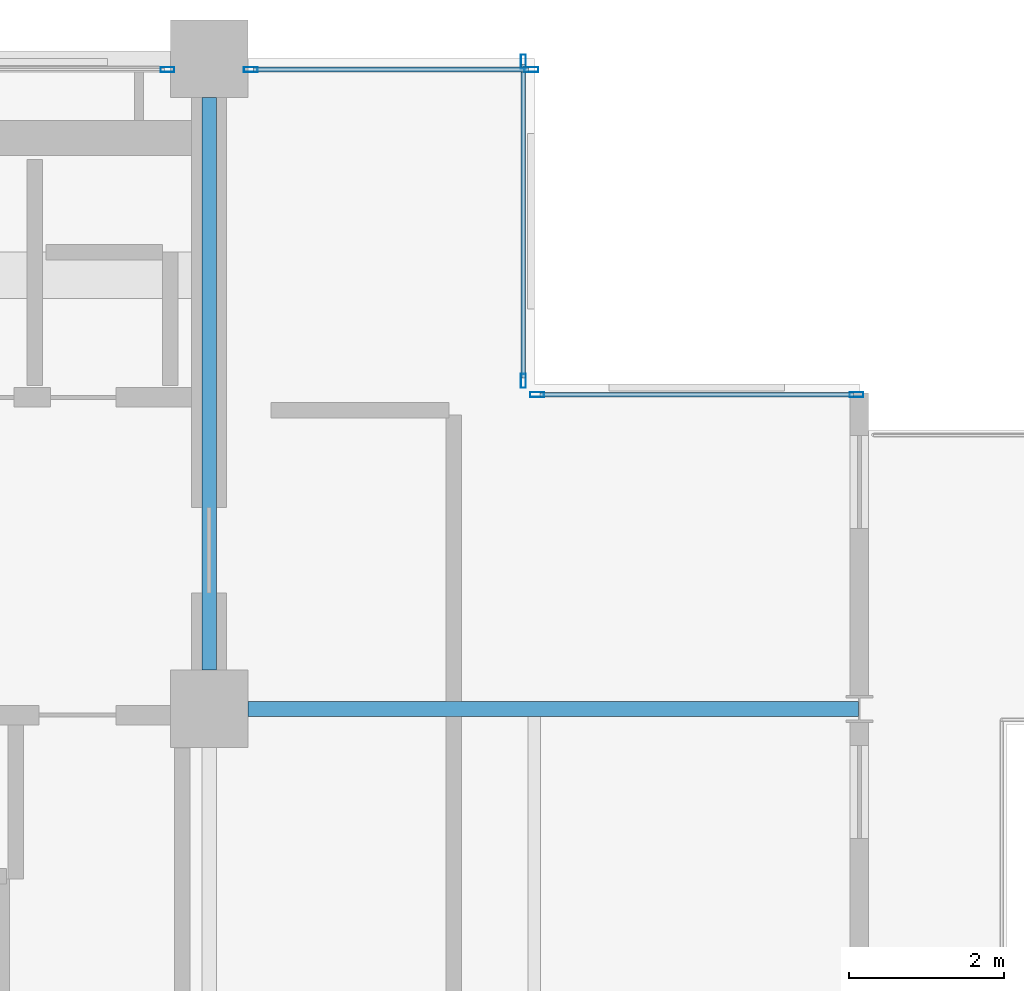
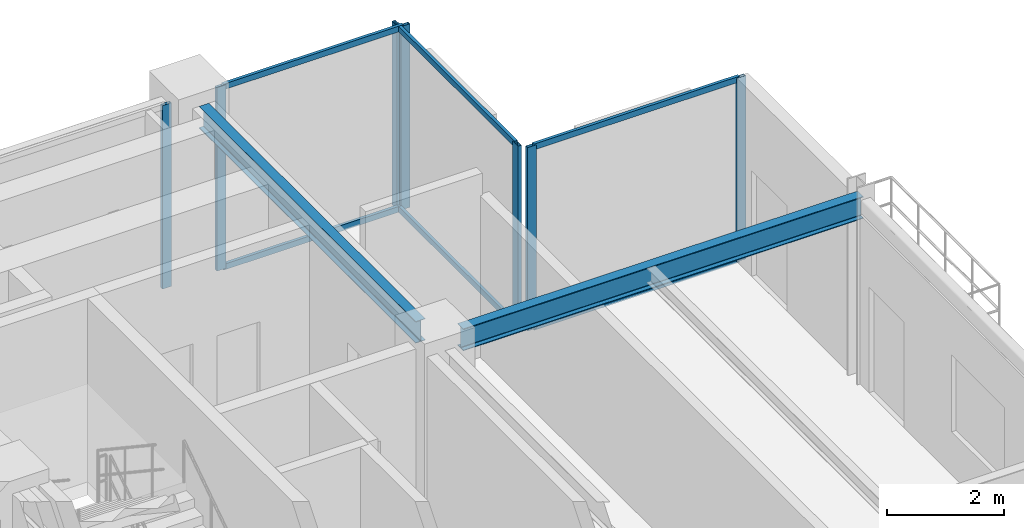
# One storey, part 18 of 25: 13 members, 2 beams, 4 elements without a shape of their own.
"""IFC4 building model written with IfcOpenShell, lengths in metres."""

from ifc_helpers import new_model, si_unit, direction, frame, origin, origin_2d, place, context, subcontext, project, spatial, hollow_rectangle, i_section, extrude, material, layer, layer_set, material_profile, profile_set, type_object, element, aggregate, save


model = new_model("IFC4")

# Units and contexts
model_context = context("Model", 3, precision=1e-05, world=origin(), true_north=direction((0.0, 1.0)))
body_context = subcontext(model_context, "Body", "Model", "MODEL_VIEW")
ifc_project = project(units=[si_unit("LENGTHUNIT", "METRE"), si_unit("AREAUNIT", "SQUARE_METRE"), si_unit("VOLUMEUNIT", "CUBIC_METRE"), si_unit("PLANEANGLEUNIT", "RADIAN"), si_unit("MASSUNIT", "GRAM", prefix="KILO")], contexts=[model_context])

# Site, building, storey
site_placement = place(None, origin())
site = spatial("IfcSite", under=ifc_project, at=site_placement, CompositionType="ELEMENT")
building_placement = place(site_placement, origin())
building = spatial("IfcBuilding", under=site, at=building_placement, Name="Nerrivon Quay Data Exchange", CompositionType="ELEMENT")
storey_placement = place(building_placement, frame((0.0, 0.0, 224.699951171875)))
storey = spatial("IfcBuildingStorey", under=building, at=storey_placement, Name="L53", CompositionType="ELEMENT", Elevation=224.699951171875)

# Beams
ifc_material_1 = material(Name="Steel Grade 350", Category="steel")
ifc_material_profile_1 = material_profile(ifc_material_1, i_section(OverallWidth=0.19091796875, OverallDepth=0.4599609375, WebThickness=0.010009765625, FlangeThickness=0.01611328125, FilletRadius=0.011474609375, at=origin_2d()), Name="460UB82.1")
ifc_profile_set_1 = profile_set([ifc_material_profile_1], Name="Steel Grade 350")
beam_type_1 = type_object("IfcBeamType", Name="BM-G5-460UB82", PredefinedType="BEAM", material=ifc_profile_set_1)
beam_1_placement = place(storey_placement, frame((17.300048828125, 33.60009765625, 3.594970703125), z_axis=(1.0, 0.0, 0.0), x_axis=(0.0, 1.0, 0.0)))
element("IfcBeam", 1, at=beam_1_placement, inside=storey, type_object=beam_type_1, Name="L53 EW Girder Y=33.6 (16.8..25.2)", PredefinedType="BEAM", context=body_context, shape_type="SweptSolid", body=[
    extrude(i_section(OverallWidth=0.19091796875, OverallDepth=0.4599609375, WebThickness=0.010009765625, FlangeThickness=0.01611328125, FilletRadius=0.011474609375, at=origin_2d()), origin(), (0.0, 0.0, 1.0), 7.889892578125),
])
ifc_material_profile_2 = material_profile(ifc_material_1, i_section(OverallWidth=0.18994140625, OverallDepth=0.4541015625, WebThickness=0.008544921875, FlangeThickness=0.0126953125, FilletRadius=0.011474609375, at=origin_2d()), Name="460UB67.1")
ifc_profile_set_2 = profile_set([ifc_material_profile_2], Name="Steel Grade 350")
beam_type_2 = type_object("IfcBeamType", Name="BM-G6-460UB67", PredefinedType="BEAM", material=ifc_profile_set_2)
beam_2_placement = place(storey_placement, frame((16.800048828125, 34.10009765625, 3.59814453125), z_axis=(0.0, 1.0, 0.0), x_axis=(-1.0, 0.0, 0.0)))
element("IfcBeam", 2, at=beam_2_placement, inside=storey, type_object=beam_type_2, Name="L53 NS Girder X=16.8 (33.6..42.0)", PredefinedType="BEAM", context=body_context, shape_type="SweptSolid", body=[
    extrude(i_section(OverallWidth=0.18994140625, OverallDepth=0.4541015625, WebThickness=0.008544921875, FlangeThickness=0.0126953125, FilletRadius=0.011474609375, at=origin_2d()), origin(), (0.0, 0.0, 1.0), 7.39990234375),
])

# Curtain wall, member
ifc_material_2 = material(Name="Anodised aluminium 6063-T6", Category="aluminium")
ifc_layer = layer(ifc_material_2, 0.195068359375)
ifc_layer_set = layer_set([ifc_layer], Name="Anodised aluminium 6063-T6")
curtain_wall_type = type_object("IfcCurtainWallType", Name="CW-SYS-06", PredefinedType="NOTDEFINED", material=ifc_layer_set)
curtain_wall_1_placement = place(storey_placement, origin())
curtain_wall_1 = element("IfcCurtainWall", 3, at=curtain_wall_1_placement, inside=storey, type_object=curtain_wall_type, Name="L53 Unitised Curtain Wall 18", PredefinedType="NOTDEFINED")
ifc_material_profile_3 = material_profile(ifc_material_2, hollow_rectangle(XDim=0.06494140625, YDim=0.179931640625, WallThickness=0.00341796875, at=origin_2d()), Name="ALU-MULL-180x65")
ifc_profile_set_3 = profile_set([ifc_material_profile_3], Name="Anodised aluminium 6063-T6")
member_type_1 = type_object("IfcMemberType", Name="CWM-180x65", PredefinedType="MULLION", material=ifc_profile_set_3)
member_1_placement = place(storey_placement, frame((16.262451171875, 41.860107421875, 0.0), z_axis=(0.0, 0.0, 1.0), x_axis=(0.0, 1.0, 0.0)))
member_1 = element("IfcMember", 4, at=member_1_placement, type_object=member_type_1, Name="CW06 mullion 2", PredefinedType="MULLION", context=body_context, shape_type="SweptSolid", body=[
    extrude(hollow_rectangle(XDim=0.06494140625, YDim=0.179931640625, WallThickness=0.00341796875, at=origin_2d()), origin(), (0.0, 0.0, 1.0), 3.824951171875),
])
aggregate(curtain_wall_1, [member_1])

# Curtain wall, members
curtain_wall_2_placement = place(storey_placement, origin())
curtain_wall_2 = element("IfcCurtainWall", 5, at=curtain_wall_2_placement, inside=storey, type_object=curtain_wall_type, Name="L53 Unitised Curtain Wall 19", PredefinedType="NOTDEFINED")
member_2_placement = place(storey_placement, frame((17.33740234375, 41.860107421875, 0.0), z_axis=(0.0, 0.0, 1.0), x_axis=(0.0, 1.0, 0.0)))
member_2 = element("IfcMember", 6, at=member_2_placement, type_object=member_type_1, Name="CW06 mullion 1", PredefinedType="MULLION", context=body_context, shape_type="SweptSolid", body=[
    extrude(hollow_rectangle(XDim=0.06494140625, YDim=0.179931640625, WallThickness=0.00341796875, at=origin_2d()), origin(), (0.0, 0.0, 1.0), 3.824951171875),
])
member_3_placement = place(storey_placement, frame((20.96240234375, 41.860107421875, 0.0), z_axis=(0.0, 0.0, 1.0), x_axis=(0.0, 1.0, 0.0)))
member_3 = element("IfcMember", 7, at=member_3_placement, type_object=member_type_1, Name="CW06 mullion 2", PredefinedType="MULLION", context=body_context, shape_type="SweptSolid", body=[
    extrude(hollow_rectangle(XDim=0.06494140625, YDim=0.179931640625, WallThickness=0.00341796875, at=origin_2d()), origin(), (0.0, 0.0, 1.0), 3.824951171875),
])

curtain_wall_3_placement = place(storey_placement, origin())
curtain_wall_3 = element("IfcCurtainWall", 8, at=curtain_wall_3_placement, inside=storey, type_object=curtain_wall_type, Name="L53 Unitised Curtain Wall 20", PredefinedType="NOTDEFINED")
member_4_placement = place(storey_placement, frame((20.860107421875, 41.96240234375, 0.0), z_axis=(0.0, 0.0, 1.0), x_axis=(1.0, 0.0, 0.0)))
member_4 = element("IfcMember", 9, at=member_4_placement, type_object=member_type_1, Name="CW06 mullion 1", PredefinedType="MULLION", context=body_context, shape_type="SweptSolid", body=[
    extrude(hollow_rectangle(XDim=0.06494140625, YDim=0.179931640625, WallThickness=0.00341796875, at=origin_2d()), origin(), (0.0, 0.0, 1.0), 3.824951171875),
])
member_5_placement = place(storey_placement, frame((20.860107421875, 37.83740234375, 0.0), z_axis=(0.0, 0.0, 1.0), x_axis=(1.0, 0.0, 0.0)))
member_5 = element("IfcMember", 10, at=member_5_placement, type_object=member_type_1, Name="CW06 mullion 2", PredefinedType="MULLION", context=body_context, shape_type="SweptSolid", body=[
    extrude(hollow_rectangle(XDim=0.06494140625, YDim=0.179931640625, WallThickness=0.00341796875, at=origin_2d()), origin(), (0.0, 0.0, 1.0), 3.824951171875),
])

curtain_wall_4_placement = place(storey_placement, origin())
curtain_wall_4 = element("IfcCurtainWall", 11, at=curtain_wall_4_placement, inside=storey, type_object=curtain_wall_type, Name="L53 Unitised Curtain Wall 21", PredefinedType="NOTDEFINED")
member_6_placement = place(storey_placement, frame((21.03759765625, 37.659912109375, 0.0), z_axis=(0.0, 0.0, 1.0), x_axis=(0.0, 1.0, 0.0)))
member_6 = element("IfcMember", 12, at=member_6_placement, type_object=member_type_1, Name="CW06 mullion 1", PredefinedType="MULLION", context=body_context, shape_type="SweptSolid", body=[
    extrude(hollow_rectangle(XDim=0.06494140625, YDim=0.179931640625, WallThickness=0.00341796875, at=origin_2d()), origin(), (0.0, 0.0, 1.0), 3.824951171875),
])
member_7_placement = place(storey_placement, frame((25.16259765625, 37.659912109375, 0.0), z_axis=(0.0, 0.0, 1.0), x_axis=(0.0, 1.0, 0.0)))
member_7 = element("IfcMember", 13, at=member_7_placement, type_object=member_type_1, Name="CW06 mullion 2", PredefinedType="MULLION", context=body_context, shape_type="SweptSolid", body=[
    extrude(hollow_rectangle(XDim=0.06494140625, YDim=0.179931640625, WallThickness=0.00341796875, at=origin_2d()), origin(), (0.0, 0.0, 1.0), 3.824951171875),
])

# Member
ifc_material_profile_4 = material_profile(ifc_material_2, hollow_rectangle(XDim=0.06005859375, YDim=0.1201171875, WallThickness=0.003173828125, at=origin_2d()), Name="ALU-TRAN-120x60")
ifc_profile_set_4 = profile_set([ifc_material_profile_4], Name="Anodised aluminium 6063-T6")
member_type_2 = type_object("IfcMemberType", Name="CWT-120x60", PredefinedType="USERDEFINED", material=ifc_profile_set_4)
member_8_placement = place(storey_placement, frame((17.375, 41.860107421875, 0.032470703125), z_axis=(1.0, 0.0, 0.0), x_axis=(0.0, 1.0, 0.0)))
member_8 = element("IfcMember", 14, at=member_8_placement, type_object=member_type_2, Name="CW06 transom 1.1", ObjectType="TRANSOM", PredefinedType="USERDEFINED", context=body_context, shape_type="SweptSolid", body=[
    extrude(hollow_rectangle(XDim=0.06005859375, YDim=0.1201171875, WallThickness=0.003173828125, at=origin_2d()), origin(), (0.0, 0.0, 1.0), 3.550048828125),
])

member_9_placement = place(storey_placement, frame((17.375, 41.860107421875, 3.79248046875), z_axis=(1.0, 0.0, 0.0), x_axis=(0.0, 1.0, 0.0)))
member_9 = element("IfcMember", 15, at=member_9_placement, type_object=member_type_2, Name="CW06 transom 1.2", ObjectType="TRANSOM", PredefinedType="USERDEFINED", context=body_context, shape_type="SweptSolid", body=[
    extrude(hollow_rectangle(XDim=0.06005859375, YDim=0.1201171875, WallThickness=0.003173828125, at=origin_2d()), origin(), (0.0, 0.0, 1.0), 3.550048828125),
])

aggregate(curtain_wall_2, [member_2, member_3, member_8, member_9])

member_10_placement = place(storey_placement, frame((20.860107421875, 41.925048828125, 0.032470703125), z_axis=(0.0, -1.0, 0.0), x_axis=(1.0, 0.0, 0.0)))
member_10 = element("IfcMember", 16, at=member_10_placement, type_object=member_type_2, Name="CW06 transom 1.1", ObjectType="TRANSOM", PredefinedType="USERDEFINED", context=body_context, shape_type="SweptSolid", body=[
    extrude(hollow_rectangle(XDim=0.06005859375, YDim=0.1201171875, WallThickness=0.003173828125, at=origin_2d()), origin(), (0.0, 0.0, 1.0), 4.050048828125),
])

member_11_placement = place(storey_placement, frame((20.860107421875, 41.925048828125, 3.79248046875), z_axis=(0.0, -1.0, 0.0), x_axis=(1.0, 0.0, 0.0)))
member_11 = element("IfcMember", 17, at=member_11_placement, type_object=member_type_2, Name="CW06 transom 1.2", ObjectType="TRANSOM", PredefinedType="USERDEFINED", context=body_context, shape_type="SweptSolid", body=[
    extrude(hollow_rectangle(XDim=0.06005859375, YDim=0.1201171875, WallThickness=0.003173828125, at=origin_2d()), origin(), (0.0, 0.0, 1.0), 4.050048828125),
])

aggregate(curtain_wall_3, [member_4, member_5, member_10, member_11])

member_12_placement = place(storey_placement, frame((21.074951171875, 37.659912109375, 0.032470703125), z_axis=(1.0, 0.0, 0.0), x_axis=(0.0, 1.0, 0.0)))
member_12 = element("IfcMember", 18, at=member_12_placement, type_object=member_type_2, Name="CW06 transom 1.1", ObjectType="TRANSOM", PredefinedType="USERDEFINED", context=body_context, shape_type="SweptSolid", body=[
    extrude(hollow_rectangle(XDim=0.06005859375, YDim=0.1201171875, WallThickness=0.003173828125, at=origin_2d()), origin(), (0.0, 0.0, 1.0), 4.050048828125),
])

member_13_placement = place(storey_placement, frame((21.074951171875, 37.659912109375, 3.79248046875), z_axis=(1.0, 0.0, 0.0), x_axis=(0.0, 1.0, 0.0)))
member_13 = element("IfcMember", 19, at=member_13_placement, type_object=member_type_2, Name="CW06 transom 1.2", ObjectType="TRANSOM", PredefinedType="USERDEFINED", context=body_context, shape_type="SweptSolid", body=[
    extrude(hollow_rectangle(XDim=0.06005859375, YDim=0.1201171875, WallThickness=0.003173828125, at=origin_2d()), origin(), (0.0, 0.0, 1.0), 4.050048828125),
])

aggregate(curtain_wall_4, [member_6, member_7, member_12, member_13])

save(model, "model.ifc")
